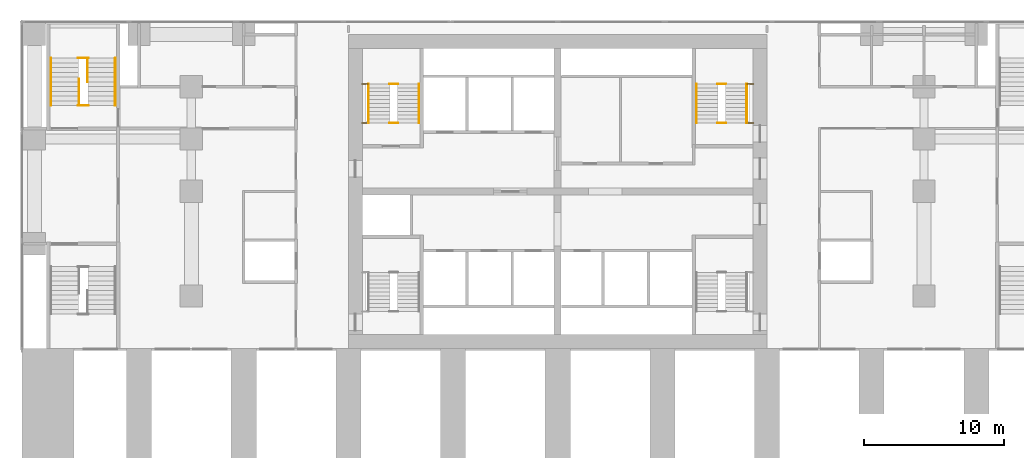
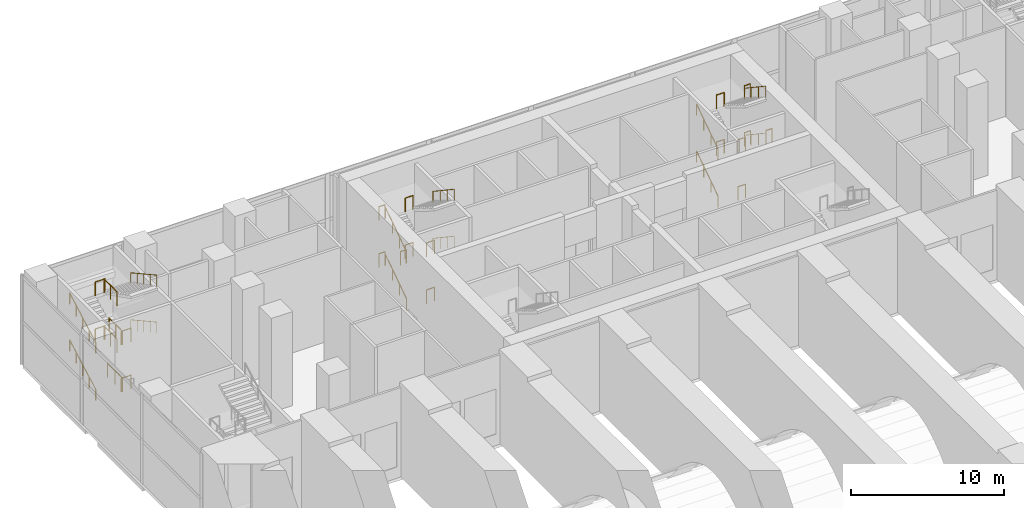
# One storey, part 14 of 15: 34 railings.
"""IFC4 building model written with IfcOpenShell, lengths in metres."""

from ifc_helpers import new_model, si_unit, direction, frame, origin, origin_2d, place, context, subcontext, project, spatial, circle, extrude, material, type_object, element, save


model = new_model("IFC4")

# Units and contexts
model_context = context("Model", 3, precision=1e-05, world=origin(), true_north=direction((0.0, 1.0)))
body_context = subcontext(model_context, "Body", "Model", "MODEL_VIEW")
ifc_project = project(units=[si_unit("LENGTHUNIT", "METRE"), si_unit("AREAUNIT", "SQUARE_METRE"), si_unit("VOLUMEUNIT", "CUBIC_METRE"), si_unit("PLANEANGLEUNIT", "RADIAN"), si_unit("MASSUNIT", "GRAM", prefix="KILO")], contexts=[model_context])

# Site, building, storey
site_placement = place(None, origin())
site = spatial("IfcSite", under=ifc_project, at=site_placement, CompositionType="ELEMENT")
building_placement = place(site_placement, origin())
building = spatial("IfcBuilding", under=site, at=building_placement, Name="Pilkhan Gate Tower", CompositionType="ELEMENT")
storey_placement = place(building_placement, frame((0.0, 0.0, 16.5)))
storey = spatial("IfcBuildingStorey", under=building, at=storey_placement, Name="L02", CompositionType="ELEMENT", Elevation=16.5)

# Railings
ifc_material_1 = material(Name="Black powder-coated steel tube", Category="steel")
railing_type_1 = type_object("IfcRailingType", Name="Stair handrail HR1", PredefinedType="HANDRAIL", material=ifc_material_1)
railing_1_placement = place(storey_placement, frame((61.449951171875, 87.39990234375, 0.0)))
element("IfcRailing", 1, at=railing_1_placement, inside=storey, type_object=railing_type_1, Name="Stair ST3 handrail L02", PredefinedType="HANDRAIL", context=body_context, shape_type="SweptSolid", body=[
    extrude(circle(Radius=0.02392578125, at=origin_2d()), frame((0.0, 0.0, 0.8759765625), z_axis=(0.0, 0.830911662861, 0.55640435703), x_axis=(-1.0, 0.0, 0.0)), (0.0, 0.0, 1.0), 3.369873046875),
    extrude(circle(Radius=0.02099609375, at=origin_2d()), origin(), (0.0, 0.0, 1.0), 0.851806640625),
    extrude(circle(Radius=0.02099609375, at=origin_2d()), frame((0.0, 0.933349609375, 0.625)), (0.0, 0.0, 1.0), 0.851806640625),
    extrude(circle(Radius=0.02099609375, at=origin_2d()), frame((0.0, 1.86669921875, 1.25)), (0.0, 0.0, 1.0), 0.851806640625),
    extrude(circle(Radius=0.02099609375, at=origin_2d()), frame((0.0, 2.800048828125, 1.875)), (0.0, 0.0, 1.0), 0.851806640625),
])
railing_2_placement = place(storey_placement, frame((65.050048828125, 90.199951171875, 1.875)))
element("IfcRailing", 2, at=railing_2_placement, inside=storey, type_object=railing_type_1, Name="Stair ST3 handrail L02", PredefinedType="HANDRAIL", context=body_context, shape_type="SweptSolid", body=[
    extrude(circle(Radius=0.02392578125, at=origin_2d()), frame((0.0, 0.0, 0.8759765625), z_axis=(0.0, -0.830911662861, 0.55640435703), x_axis=(1.0, 0.0, 0.0)), (0.0, 0.0, 1.0), 3.369873046875),
    extrude(circle(Radius=0.02099609375, at=origin_2d()), origin(), (0.0, 0.0, 1.0), 0.851806640625),
    extrude(circle(Radius=0.02099609375, at=origin_2d()), frame((0.0, -0.933349609375, 0.625)), (0.0, 0.0, 1.0), 0.851806640625),
    extrude(circle(Radius=0.02099609375, at=origin_2d()), frame((0.0, -1.86669921875, 1.25)), (0.0, 0.0, 1.0), 0.851806640625),
    extrude(circle(Radius=0.02099609375, at=origin_2d()), frame((0.0, -2.800048828125, 1.875)), (0.0, 0.0, 1.0), 0.851806640625),
])
railing_3_placement = place(storey_placement, frame((61.449951171875, 87.39990234375, 3.75)))
element("IfcRailing", 3, at=railing_3_placement, inside=storey, type_object=railing_type_1, Name="Stair ST3 handrail L02", PredefinedType="HANDRAIL", context=body_context, shape_type="SweptSolid", body=[
    extrude(circle(Radius=0.02392578125, at=origin_2d()), frame((0.0, 0.0, 0.8759765625), z_axis=(0.0, 0.830911662861, 0.55640435703), x_axis=(-1.0, 0.0, 0.0)), (0.0, 0.0, 1.0), 3.369873046875),
    extrude(circle(Radius=0.02099609375, at=origin_2d()), origin(), (0.0, 0.0, 1.0), 0.851806640625),
    extrude(circle(Radius=0.02099609375, at=origin_2d()), frame((0.0, 0.933349609375, 0.625)), (0.0, 0.0, 1.0), 0.851806640625),
    extrude(circle(Radius=0.02099609375, at=origin_2d()), frame((0.0, 1.86669921875, 1.25)), (0.0, 0.0, 1.0), 0.851806640625),
    extrude(circle(Radius=0.02099609375, at=origin_2d()), frame((0.0, 2.800048828125, 1.875)), (0.0, 0.0, 1.0), 0.851806640625),
])
railing_4_placement = place(storey_placement, frame((65.050048828125, 90.199951171875, 5.625)))
element("IfcRailing", 4, at=railing_4_placement, inside=storey, type_object=railing_type_1, Name="Stair ST3 handrail L02", PredefinedType="HANDRAIL", context=body_context, shape_type="SweptSolid", body=[
    extrude(circle(Radius=0.02392578125, at=origin_2d()), frame((0.0, 0.0, 0.8759765625), z_axis=(0.0, -0.830911662861, 0.55640435703), x_axis=(1.0, 0.0, 0.0)), (0.0, 0.0, 1.0), 3.369873046875),
    extrude(circle(Radius=0.02099609375, at=origin_2d()), origin(), (0.0, 0.0, 1.0), 0.851806640625),
    extrude(circle(Radius=0.02099609375, at=origin_2d()), frame((0.0, -0.933349609375, 0.625)), (0.0, 0.0, 1.0), 0.851806640625),
    extrude(circle(Radius=0.02099609375, at=origin_2d()), frame((0.0, -1.86669921875, 1.25)), (0.0, 0.0, 1.0), 0.851806640625),
    extrude(circle(Radius=0.02099609375, at=origin_2d()), frame((0.0, -2.800048828125, 1.875)), (0.0, 0.0, 1.0), 0.851806640625),
])
railing_5_placement = place(storey_placement, frame((84.949951171875, 87.39990234375, 0.0)))
element("IfcRailing", 5, at=railing_5_placement, inside=storey, type_object=railing_type_1, Name="Stair ST4 handrail L02", PredefinedType="HANDRAIL", context=body_context, shape_type="SweptSolid", body=[
    extrude(circle(Radius=0.02392578125, at=origin_2d()), frame((0.0, 0.0, 0.8759765625), z_axis=(0.0, 0.830911662861, 0.55640435703), x_axis=(-1.0, 0.0, 0.0)), (0.0, 0.0, 1.0), 3.369873046875),
    extrude(circle(Radius=0.02099609375, at=origin_2d()), origin(), (0.0, 0.0, 1.0), 0.851806640625),
    extrude(circle(Radius=0.02099609375, at=origin_2d()), frame((0.0, 0.933349609375, 0.625)), (0.0, 0.0, 1.0), 0.851806640625),
    extrude(circle(Radius=0.02099609375, at=origin_2d()), frame((0.0, 1.86669921875, 1.25)), (0.0, 0.0, 1.0), 0.851806640625),
    extrude(circle(Radius=0.02099609375, at=origin_2d()), frame((0.0, 2.800048828125, 1.875)), (0.0, 0.0, 1.0), 0.851806640625),
])
railing_6_placement = place(storey_placement, frame((88.550048828125, 90.199951171875, 1.875)))
element("IfcRailing", 6, at=railing_6_placement, inside=storey, type_object=railing_type_1, Name="Stair ST4 handrail L02", PredefinedType="HANDRAIL", context=body_context, shape_type="SweptSolid", body=[
    extrude(circle(Radius=0.02392578125, at=origin_2d()), frame((0.0, 0.0, 0.8759765625), z_axis=(0.0, -0.830911662861, 0.55640435703), x_axis=(1.0, 0.0, 0.0)), (0.0, 0.0, 1.0), 3.369873046875),
    extrude(circle(Radius=0.02099609375, at=origin_2d()), origin(), (0.0, 0.0, 1.0), 0.851806640625),
    extrude(circle(Radius=0.02099609375, at=origin_2d()), frame((0.0, -0.933349609375, 0.625)), (0.0, 0.0, 1.0), 0.851806640625),
    extrude(circle(Radius=0.02099609375, at=origin_2d()), frame((0.0, -1.86669921875, 1.25)), (0.0, 0.0, 1.0), 0.851806640625),
    extrude(circle(Radius=0.02099609375, at=origin_2d()), frame((0.0, -2.800048828125, 1.875)), (0.0, 0.0, 1.0), 0.851806640625),
])
railing_7_placement = place(storey_placement, frame((84.949951171875, 87.39990234375, 3.75)))
element("IfcRailing", 7, at=railing_7_placement, inside=storey, type_object=railing_type_1, Name="Stair ST4 handrail L02", PredefinedType="HANDRAIL", context=body_context, shape_type="SweptSolid", body=[
    extrude(circle(Radius=0.02392578125, at=origin_2d()), frame((0.0, 0.0, 0.8759765625), z_axis=(0.0, 0.830911662861, 0.55640435703), x_axis=(-1.0, 0.0, 0.0)), (0.0, 0.0, 1.0), 3.369873046875),
    extrude(circle(Radius=0.02099609375, at=origin_2d()), origin(), (0.0, 0.0, 1.0), 0.851806640625),
    extrude(circle(Radius=0.02099609375, at=origin_2d()), frame((0.0, 0.933349609375, 0.625)), (0.0, 0.0, 1.0), 0.851806640625),
    extrude(circle(Radius=0.02099609375, at=origin_2d()), frame((0.0, 1.86669921875, 1.25)), (0.0, 0.0, 1.0), 0.851806640625),
    extrude(circle(Radius=0.02099609375, at=origin_2d()), frame((0.0, 2.800048828125, 1.875)), (0.0, 0.0, 1.0), 0.851806640625),
])
railing_8_placement = place(storey_placement, frame((88.550048828125, 90.199951171875, 5.625)))
element("IfcRailing", 8, at=railing_8_placement, inside=storey, type_object=railing_type_1, Name="Stair ST4 handrail L02", PredefinedType="HANDRAIL", context=body_context, shape_type="SweptSolid", body=[
    extrude(circle(Radius=0.02392578125, at=origin_2d()), frame((0.0, 0.0, 0.8759765625), z_axis=(0.0, -0.830911662861, 0.55640435703), x_axis=(1.0, 0.0, 0.0)), (0.0, 0.0, 1.0), 3.369873046875),
    extrude(circle(Radius=0.02099609375, at=origin_2d()), origin(), (0.0, 0.0, 1.0), 0.851806640625),
    extrude(circle(Radius=0.02099609375, at=origin_2d()), frame((0.0, -0.933349609375, 0.625)), (0.0, 0.0, 1.0), 0.851806640625),
    extrude(circle(Radius=0.02099609375, at=origin_2d()), frame((0.0, -1.86669921875, 1.25)), (0.0, 0.0, 1.0), 0.851806640625),
    extrude(circle(Radius=0.02099609375, at=origin_2d()), frame((0.0, -2.800048828125, 1.875)), (0.0, 0.0, 1.0), 0.851806640625),
])
railing_9_placement = place(storey_placement, frame((38.699951171875, 88.64990234375, 0.0)))
element("IfcRailing", 9, at=railing_9_placement, inside=storey, type_object=railing_type_1, Name="Stair PS1 handrail L02", PredefinedType="HANDRAIL", context=body_context, shape_type="SweptSolid", body=[
    extrude(circle(Radius=0.02392578125, at=origin_2d()), frame((0.0, 0.0, 0.8759765625), z_axis=(0.0, 0.875680375818, 0.482891167249), x_axis=(-1.0, 0.0, 0.0)), (0.0, 0.0, 1.0), 3.8828125),
    extrude(circle(Radius=0.02099609375, at=origin_2d()), origin(), (0.0, 0.0, 1.0), 0.851806640625),
    extrude(circle(Radius=0.02099609375, at=origin_2d()), frame((0.0, 0.85009765625, 0.46875)), (0.0, 0.0, 1.0), 0.851806640625),
    extrude(circle(Radius=0.02099609375, at=origin_2d()), frame((0.0, 1.7001953125, 0.9375)), (0.0, 0.0, 1.0), 0.851806640625),
    extrude(circle(Radius=0.02099609375, at=origin_2d()), frame((0.0, 2.550048828125, 1.40625)), (0.0, 0.0, 1.0), 0.851806640625),
    extrude(circle(Radius=0.02099609375, at=origin_2d()), frame((0.0, 3.400146484375, 1.875)), (0.0, 0.0, 1.0), 0.851806640625),
])
railing_10_placement = place(storey_placement, frame((43.300048828125, 92.050048828125, 1.875)))
element("IfcRailing", 10, at=railing_10_placement, inside=storey, type_object=railing_type_1, Name="Stair PS1 handrail L02", PredefinedType="HANDRAIL", context=body_context, shape_type="SweptSolid", body=[
    extrude(circle(Radius=0.02392578125, at=origin_2d()), frame((0.0, 0.0, 0.8759765625), z_axis=(0.0, -0.875680375818, 0.482891167249), x_axis=(1.0, 0.0, 0.0)), (0.0, 0.0, 1.0), 3.8828125),
    extrude(circle(Radius=0.02099609375, at=origin_2d()), origin(), (0.0, 0.0, 1.0), 0.851806640625),
    extrude(circle(Radius=0.02099609375, at=origin_2d()), frame((0.0, -0.85009765625, 0.46875)), (0.0, 0.0, 1.0), 0.851806640625),
    extrude(circle(Radius=0.02099609375, at=origin_2d()), frame((0.0, -1.7001953125, 0.9375)), (0.0, 0.0, 1.0), 0.851806640625),
    extrude(circle(Radius=0.02099609375, at=origin_2d()), frame((0.0, -2.550048828125, 1.40625)), (0.0, 0.0, 1.0), 0.851806640625),
    extrude(circle(Radius=0.02099609375, at=origin_2d()), frame((0.0, -3.400146484375, 1.875)), (0.0, 0.0, 1.0), 0.851806640625),
])
railing_11_placement = place(storey_placement, frame((38.699951171875, 88.64990234375, 3.75)))
element("IfcRailing", 11, at=railing_11_placement, inside=storey, type_object=railing_type_1, Name="Stair PS1 handrail L02", PredefinedType="HANDRAIL", context=body_context, shape_type="SweptSolid", body=[
    extrude(circle(Radius=0.02392578125, at=origin_2d()), frame((0.0, 0.0, 0.8759765625), z_axis=(0.0, 0.875680375818, 0.482891167249), x_axis=(-1.0, 0.0, 0.0)), (0.0, 0.0, 1.0), 3.8828125),
    extrude(circle(Radius=0.02099609375, at=origin_2d()), origin(), (0.0, 0.0, 1.0), 0.851806640625),
    extrude(circle(Radius=0.02099609375, at=origin_2d()), frame((0.0, 0.85009765625, 0.46875)), (0.0, 0.0, 1.0), 0.851806640625),
    extrude(circle(Radius=0.02099609375, at=origin_2d()), frame((0.0, 1.7001953125, 0.9375)), (0.0, 0.0, 1.0), 0.851806640625),
    extrude(circle(Radius=0.02099609375, at=origin_2d()), frame((0.0, 2.550048828125, 1.40625)), (0.0, 0.0, 1.0), 0.851806640625),
    extrude(circle(Radius=0.02099609375, at=origin_2d()), frame((0.0, 3.400146484375, 1.875)), (0.0, 0.0, 1.0), 0.851806640625),
])
railing_12_placement = place(storey_placement, frame((43.300048828125, 92.050048828125, 5.625)))
element("IfcRailing", 12, at=railing_12_placement, inside=storey, type_object=railing_type_1, Name="Stair PS1 handrail L02", PredefinedType="HANDRAIL", context=body_context, shape_type="SweptSolid", body=[
    extrude(circle(Radius=0.02392578125, at=origin_2d()), frame((0.0, 0.0, 0.8759765625), z_axis=(0.0, -0.875680375818, 0.482891167249), x_axis=(1.0, 0.0, 0.0)), (0.0, 0.0, 1.0), 3.8828125),
    extrude(circle(Radius=0.02099609375, at=origin_2d()), origin(), (0.0, 0.0, 1.0), 0.851806640625),
    extrude(circle(Radius=0.02099609375, at=origin_2d()), frame((0.0, -0.85009765625, 0.46875)), (0.0, 0.0, 1.0), 0.851806640625),
    extrude(circle(Radius=0.02099609375, at=origin_2d()), frame((0.0, -1.7001953125, 0.9375)), (0.0, 0.0, 1.0), 0.851806640625),
    extrude(circle(Radius=0.02099609375, at=origin_2d()), frame((0.0, -2.550048828125, 1.40625)), (0.0, 0.0, 1.0), 0.851806640625),
    extrude(circle(Radius=0.02099609375, at=origin_2d()), frame((0.0, -3.400146484375, 1.875)), (0.0, 0.0, 1.0), 0.851806640625),
])
ifc_material_2 = material(Name="Black powder-coated steel balusters", Category="steel")
railing_type_2 = type_object("IfcRailingType", Name="Stair well guard G3", PredefinedType="GUARDRAIL", material=ifc_material_2)
for number, where, name in (
    (13, (60.97998046875, 90.199951171875, 1.875), "Stair ST3 well guard L02"),
    (14, (60.97998046875, 87.39990234375, 3.75), "Stair ST3 well guard L02"),
    (15, (60.97998046875, 90.199951171875, 5.625), "Stair ST3 well guard L02"),
):
    element("IfcRailing", number, at=place(storey_placement, frame(where)), inside=storey, type_object=railing_type_2, Name=name, PredefinedType="GUARDRAIL", context=body_context, shape_type="SweptSolid", body=[
        extrude(circle(Radius=0.02392578125, at=origin_2d()), frame((0.0, 0.0, 1.076171875), z_axis=(1.0, 0.0, 0.0), x_axis=(0.0, 1.0, 0.0)), (0.0, 0.0, 1.0), 0.43994140625),
        extrude(circle(Radius=0.02099609375, at=origin_2d()), origin(), (0.0, 0.0, 1.0), 1.052001953125),
        extrude(circle(Radius=0.02099609375, at=origin_2d()), frame((0.43994140625, 0.0, 0.0)), (0.0, 0.0, 1.0), 1.052001953125),
    ])
for number, where, name in (
    (16, (62.9599609375, 87.39990234375, 0.0), "Stair ST3 well guard L02"),
    (17, (62.9599609375, 90.199951171875, 1.875), "Stair ST3 well guard L02"),
    (18, (62.9599609375, 87.39990234375, 3.75), "Stair ST3 well guard L02"),
    (19, (62.9599609375, 90.199951171875, 5.625), "Stair ST3 well guard L02"),
):
    element("IfcRailing", number, at=place(storey_placement, frame(where)), inside=storey, type_object=railing_type_2, Name=name, PredefinedType="GUARDRAIL", context=body_context, shape_type="SweptSolid", body=[
        extrude(circle(Radius=0.02392578125, at=origin_2d()), frame((0.0, 0.0, 1.076171875), z_axis=(1.0, 0.0, 0.0), x_axis=(0.0, 1.0, 0.0)), (0.0, 0.0, 1.0), 0.580078125),
        extrude(circle(Radius=0.02099609375, at=origin_2d()), origin(), (0.0, 0.0, 1.0), 1.052001953125),
        extrude(circle(Radius=0.02099609375, at=origin_2d()), frame((0.580078125, 0.0, 0.0)), (0.0, 0.0, 1.0), 1.052001953125),
    ])
for number, where, name in (
    (20, (88.580078125, 90.199951171875, 1.875), "Stair ST4 well guard L02"),
    (21, (88.580078125, 87.39990234375, 3.75), "Stair ST4 well guard L02"),
    (22, (88.580078125, 90.199951171875, 5.625), "Stair ST4 well guard L02"),
):
    element("IfcRailing", number, at=place(storey_placement, frame(where)), inside=storey, type_object=railing_type_2, Name=name, PredefinedType="GUARDRAIL", context=body_context, shape_type="SweptSolid", body=[
        extrude(circle(Radius=0.02392578125, at=origin_2d()), frame((0.0, 0.0, 1.076171875), z_axis=(1.0, 0.0, 0.0), x_axis=(0.0, 1.0, 0.0)), (0.0, 0.0, 1.0), 0.43994140625),
        extrude(circle(Radius=0.02099609375, at=origin_2d()), origin(), (0.0, 0.0, 1.0), 1.052001953125),
        extrude(circle(Radius=0.02099609375, at=origin_2d()), frame((0.43994140625, 0.0, 0.0)), (0.0, 0.0, 1.0), 1.052001953125),
    ])
for number, where, name in (
    (23, (86.4599609375, 87.39990234375, 0.0), "Stair ST4 well guard L02"),
    (24, (86.4599609375, 90.199951171875, 1.875), "Stair ST4 well guard L02"),
    (25, (86.4599609375, 87.39990234375, 3.75), "Stair ST4 well guard L02"),
    (26, (86.4599609375, 90.199951171875, 5.625), "Stair ST4 well guard L02"),
):
    element("IfcRailing", number, at=place(storey_placement, frame(where)), inside=storey, type_object=railing_type_2, Name=name, PredefinedType="GUARDRAIL", context=body_context, shape_type="SweptSolid", body=[
        extrude(circle(Radius=0.02392578125, at=origin_2d()), frame((0.0, 0.0, 1.076171875), z_axis=(1.0, 0.0, 0.0), x_axis=(0.0, 1.0, 0.0)), (0.0, 0.0, 1.0), 0.580078125),
        extrude(circle(Radius=0.02099609375, at=origin_2d()), origin(), (0.0, 0.0, 1.0), 1.052001953125),
        extrude(circle(Radius=0.02099609375, at=origin_2d()), frame((0.580078125, 0.0, 0.0)), (0.0, 0.0, 1.0), 1.052001953125),
    ])
railing_13_placement = place(storey_placement, frame((40.6298828125, 88.64990234375, 0.0)))
element("IfcRailing", 27, at=railing_13_placement, inside=storey, type_object=railing_type_2, Name="Stair PS1 well guard L02", PredefinedType="GUARDRAIL", context=body_context, shape_type="SweptSolid", body=[
    extrude(circle(Radius=0.02392578125, at=origin_2d()), frame((0.0, 0.0, 1.076171875), z_axis=(1.0, 0.0, 0.0), x_axis=(0.0, 1.0, 0.0)), (0.0, 0.0, 1.0), 0.740234375),
    extrude(circle(Radius=0.02099609375, at=origin_2d()), origin(), (0.0, 0.0, 1.0), 1.052001953125),
    extrude(circle(Radius=0.02099609375, at=origin_2d()), frame((0.740234375, 0.0, 0.0)), (0.0, 0.0, 1.0), 1.052001953125),
])
railing_14_placement = place(storey_placement, frame((40.699951171875, 88.64990234375, 0.0)))
element("IfcRailing", 28, at=railing_14_placement, inside=storey, type_object=railing_type_2, Name="Stair PS1 well guard L02", PredefinedType="GUARDRAIL", context=body_context, shape_type="SweptSolid", body=[
    extrude(circle(Radius=0.02392578125, at=origin_2d()), frame((0.0, 0.0, 1.076171875), z_axis=(0.0, 1.0, 0.0), x_axis=(-1.0, 0.0, 0.0)), (0.0, 0.0, 1.0), 1.900146484375),
    extrude(circle(Radius=0.02099609375, at=origin_2d()), origin(), (0.0, 0.0, 1.0), 1.052001953125),
    extrude(circle(Radius=0.02099609375, at=origin_2d()), frame((0.0, 0.9501953125, 0.0)), (0.0, 0.0, 1.0), 1.052001953125),
    extrude(circle(Radius=0.02099609375, at=origin_2d()), frame((0.0, 1.900146484375, 0.0)), (0.0, 0.0, 1.0), 1.052001953125),
])
railing_15_placement = place(storey_placement, frame((40.6298828125, 92.050048828125, 1.875)))
element("IfcRailing", 29, at=railing_15_placement, inside=storey, type_object=railing_type_2, Name="Stair PS1 well guard L02", PredefinedType="GUARDRAIL", context=body_context, shape_type="SweptSolid", body=[
    extrude(circle(Radius=0.02392578125, at=origin_2d()), frame((0.0, 0.0, 1.076171875), z_axis=(1.0, 0.0, 0.0), x_axis=(0.0, 1.0, 0.0)), (0.0, 0.0, 1.0), 0.740234375),
    extrude(circle(Radius=0.02099609375, at=origin_2d()), origin(), (0.0, 0.0, 1.0), 1.052001953125),
    extrude(circle(Radius=0.02099609375, at=origin_2d()), frame((0.740234375, 0.0, 0.0)), (0.0, 0.0, 1.0), 1.052001953125),
])
railing_16_placement = place(storey_placement, frame((41.300048828125, 90.35009765625, 1.875)))
element("IfcRailing", 30, at=railing_16_placement, inside=storey, type_object=railing_type_2, Name="Stair PS1 well guard L02", PredefinedType="GUARDRAIL", context=body_context, shape_type="SweptSolid", body=[
    extrude(circle(Radius=0.02392578125, at=origin_2d()), frame((0.0, 0.0, 1.076171875), z_axis=(0.0, 1.0, 0.0), x_axis=(-1.0, 0.0, 0.0)), (0.0, 0.0, 1.0), 1.699951171875),
    extrude(circle(Radius=0.02099609375, at=origin_2d()), origin(), (0.0, 0.0, 1.0), 1.052001953125),
    extrude(circle(Radius=0.02099609375, at=origin_2d()), frame((0.0, 0.85009765625, 0.0)), (0.0, 0.0, 1.0), 1.052001953125),
    extrude(circle(Radius=0.02099609375, at=origin_2d()), frame((0.0, 1.699951171875, 0.0)), (0.0, 0.0, 1.0), 1.052001953125),
])
railing_17_placement = place(storey_placement, frame((40.6298828125, 88.64990234375, 3.75)))
element("IfcRailing", 31, at=railing_17_placement, inside=storey, type_object=railing_type_2, Name="Stair PS1 well guard L02", PredefinedType="GUARDRAIL", context=body_context, shape_type="SweptSolid", body=[
    extrude(circle(Radius=0.02392578125, at=origin_2d()), frame((0.0, 0.0, 1.076171875), z_axis=(1.0, 0.0, 0.0), x_axis=(0.0, 1.0, 0.0)), (0.0, 0.0, 1.0), 0.740234375),
    extrude(circle(Radius=0.02099609375, at=origin_2d()), origin(), (0.0, 0.0, 1.0), 1.052001953125),
    extrude(circle(Radius=0.02099609375, at=origin_2d()), frame((0.740234375, 0.0, 0.0)), (0.0, 0.0, 1.0), 1.052001953125),
])
railing_18_placement = place(storey_placement, frame((40.699951171875, 88.64990234375, 3.75)))
element("IfcRailing", 32, at=railing_18_placement, inside=storey, type_object=railing_type_2, Name="Stair PS1 well guard L02", PredefinedType="GUARDRAIL", context=body_context, shape_type="SweptSolid", body=[
    extrude(circle(Radius=0.02392578125, at=origin_2d()), frame((0.0, 0.0, 1.076171875), z_axis=(0.0, 1.0, 0.0), x_axis=(-1.0, 0.0, 0.0)), (0.0, 0.0, 1.0), 1.7001953125),
    extrude(circle(Radius=0.02099609375, at=origin_2d()), origin(), (0.0, 0.0, 1.0), 1.052001953125),
    extrude(circle(Radius=0.02099609375, at=origin_2d()), frame((0.0, 0.85009765625, 0.0)), (0.0, 0.0, 1.0), 1.052001953125),
    extrude(circle(Radius=0.02099609375, at=origin_2d()), frame((0.0, 1.7001953125, 0.0)), (0.0, 0.0, 1.0), 1.052001953125),
])
railing_19_placement = place(storey_placement, frame((40.6298828125, 92.050048828125, 5.625)))
element("IfcRailing", 33, at=railing_19_placement, inside=storey, type_object=railing_type_2, Name="Stair PS1 well guard L02", PredefinedType="GUARDRAIL", context=body_context, shape_type="SweptSolid", body=[
    extrude(circle(Radius=0.02392578125, at=origin_2d()), frame((0.0, 0.0, 1.076171875), z_axis=(1.0, 0.0, 0.0), x_axis=(0.0, 1.0, 0.0)), (0.0, 0.0, 1.0), 0.740234375),
    extrude(circle(Radius=0.02099609375, at=origin_2d()), origin(), (0.0, 0.0, 1.0), 1.052001953125),
    extrude(circle(Radius=0.02099609375, at=origin_2d()), frame((0.740234375, 0.0, 0.0)), (0.0, 0.0, 1.0), 1.052001953125),
])
railing_20_placement = place(storey_placement, frame((41.300048828125, 90.35009765625, 5.625)))
element("IfcRailing", 34, at=railing_20_placement, inside=storey, type_object=railing_type_2, Name="Stair PS1 well guard L02", PredefinedType="GUARDRAIL", context=body_context, shape_type="SweptSolid", body=[
    extrude(circle(Radius=0.02392578125, at=origin_2d()), frame((0.0, 0.0, 1.076171875), z_axis=(0.0, 1.0, 0.0), x_axis=(-1.0, 0.0, 0.0)), (0.0, 0.0, 1.0), 1.699951171875),
    extrude(circle(Radius=0.02099609375, at=origin_2d()), origin(), (0.0, 0.0, 1.0), 1.052001953125),
    extrude(circle(Radius=0.02099609375, at=origin_2d()), frame((0.0, 0.85009765625, 0.0)), (0.0, 0.0, 1.0), 1.052001953125),
    extrude(circle(Radius=0.02099609375, at=origin_2d()), frame((0.0, 1.699951171875, 0.0)), (0.0, 0.0, 1.0), 1.052001953125),
])

save(model, "model.ifc")
